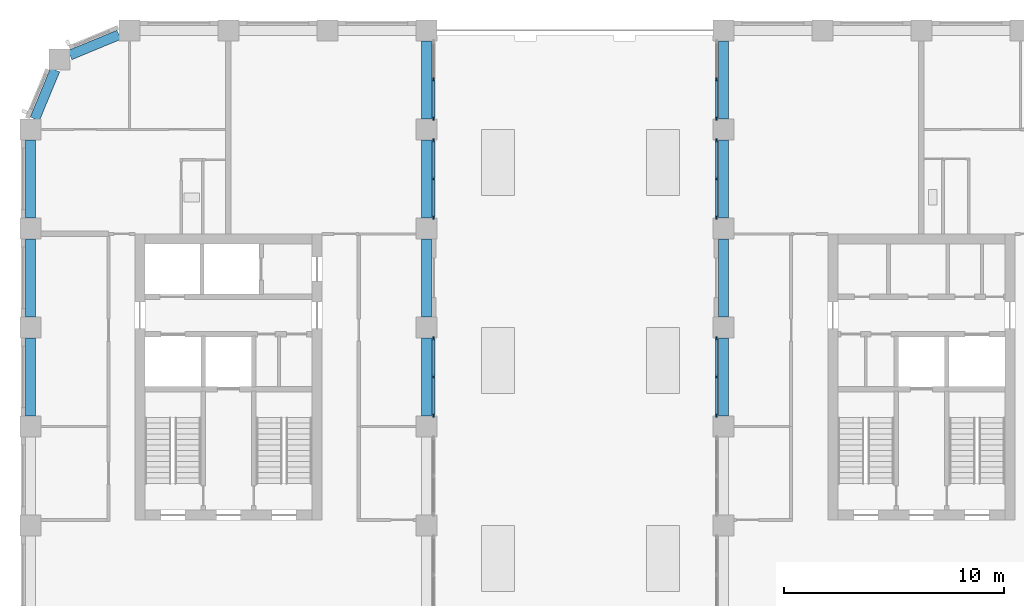
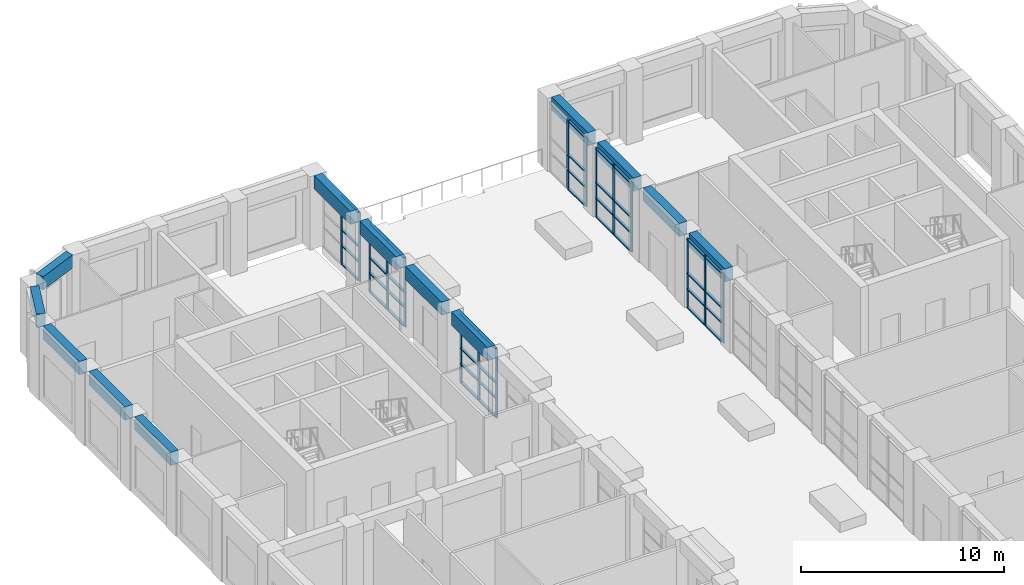
# One storey, part 5 of 20: 56 members, 13 beams, 6 elements without a shape of their own.
"""IFC4 building model written with IfcOpenShell, lengths in metres."""

import ifcopenshell
import ifcopenshell.guid

model = None  # the IFC model being written
_history = None  # IfcOwnerHistory: only IFC2X3 demands one
_inside = {}  # id of a spatial element -> (the spatial element, [elements in it])
_under = {}  # id of a project, library or spatial element -> (it, [spatial elements below it])
_declared = {}  # id of a project -> (the project, [libraries it declares])
_typed = {}  # id of a type object -> (the type object, [elements of that type])
_made_of = {}  # id of a material, layer set ... -> (it, [elements and type objects made of it])


def new_model(schema):
    """Start an empty IFC model of exactly this schema.

    Asked for "IFC4X3", IfcOpenShell would pick the latest addendum, in which some entities
    have other attributes; the version numbers below select the first issue.
    IFC2X3 requires an IfcOwnerHistory on every rooted entity: one is made here for all.
    """
    global model, _history
    if schema == "IFC4X3":
        model = ifcopenshell.file(schema_version=(4, 3, 0, 0))
    else:
        model = ifcopenshell.file(schema=schema)
    _inside.clear()
    _under.clear()
    _declared.clear()
    _typed.clear()
    _made_of.clear()
    _history = None
    if model.schema == "IFC2X3":
        org = make("IfcOrganization", Name="unknown")
        user = make(
            "IfcPersonAndOrganization",
            ThePerson=make("IfcPerson", FamilyName="unknown"),
            TheOrganization=org,
        )
        app = make(
            "IfcApplication",
            ApplicationDeveloper=org,
            Version="unknown",
            ApplicationFullName="unknown",
            ApplicationIdentifier="unknown",
        )
        _history = make(
            "IfcOwnerHistory",
            OwningUser=user,
            OwningApplication=app,
            ChangeAction="ADDED",
            CreationDate=0,
        )
    return model


def make(cls, **values):
    """One entity of the class cls with the attributes given. An attribute that is None is left unset."""
    return model.create_entity(
        cls, **{name: value for name, value in values.items() if value is not None}
    )


def rooted(cls, **values):
    """An entity with a GlobalId (a new one), such as an element, a storey or a relation."""
    return make(cls, GlobalId=ifcopenshell.guid.new(), OwnerHistory=_history, **values)


def si_unit(unit_type, name, prefix=None):
    """IfcSIUnit, for example si_unit("LENGTHUNIT", "METRE", prefix="MILLI")."""
    return make("IfcSIUnit", UnitType=unit_type, Prefix=prefix, Name=name)


def assignment(units):
    """IfcUnitAssignment: the units of a project."""
    return None if units is None else make("IfcUnitAssignment", Units=units)


def point(xyz):
    """IfcCartesianPoint."""
    return None if xyz is None else make("IfcCartesianPoint", Coordinates=xyz)


def direction(xyz):
    """IfcDirection."""
    return None if xyz is None else make("IfcDirection", DirectionRatios=xyz)


def frame(location, z_axis=None, x_axis=None):
    """IfcAxis2Placement3D, a coordinate frame: its origin and axes. An axis left out is left unset."""
    return make(
        "IfcAxis2Placement3D",
        Location=point(location),
        Axis=direction(z_axis),
        RefDirection=direction(x_axis),
    )


def frame_2d(location, x_axis=None):
    """IfcAxis2Placement2D, a coordinate frame in the plane: its origin and x axis."""
    return make(
        "IfcAxis2Placement2D", Location=point(location), RefDirection=direction(x_axis)
    )


def origin():
    """The frame at (0, 0, 0) with its axes left unset."""
    return frame((0.0, 0.0, 0.0))


def origin_2d():
    """The frame at (0, 0) in the plane with its x axis left unset."""
    return frame_2d((0.0, 0.0))


def place(relative_to, where):
    """IfcLocalPlacement: puts the frame where relative to a parent placement (None: the world)."""
    return make(
        "IfcLocalPlacement", PlacementRelTo=relative_to, RelativePlacement=where
    )


def context(
    kind, dimensions, precision=None, world=None, true_north=None, identifier=None
):
    """IfcGeometricRepresentationContext, for example the 3D "Model" context."""
    return make(
        "IfcGeometricRepresentationContext",
        ContextIdentifier=identifier,
        ContextType=kind,
        CoordinateSpaceDimension=dimensions,
        Precision=precision,
        WorldCoordinateSystem=world,
        TrueNorth=true_north,
    )


def subcontext(parent, identifier, kind, view, scale=None):
    """IfcGeometricRepresentationSubContext, for example "Body" below "Model"."""
    return make(
        "IfcGeometricRepresentationSubContext",
        ContextIdentifier=identifier,
        ContextType=kind,
        ParentContext=parent,
        TargetScale=scale,
        TargetView=view,
    )


def project(units=None, contexts=None):
    """IfcProject with its units and contexts."""
    return rooted(
        "IfcProject",
        Name="project",
        RepresentationContexts=contexts,
        UnitsInContext=assignment(units),
    )


def spatial(cls, under=None, at=None, **own):
    """A site, building, storey or space (cls), placed at a placement, below another one or the project."""
    s = rooted(cls, ObjectPlacement=at, **own)
    if under is not None:
        _under.setdefault(under.id(), (under, []))[1].append(s)
    return s


def profile(cls, at=None, kind="AREA", **sizes):
    """A parametric profile (cls). Its sizes go by their IFC names, for example OverallWidth=200.0."""
    return make(cls, ProfileType=kind, Position=at, **sizes)


def rectangle(**sizes):
    """IfcRectangleProfileDef."""
    return profile("IfcRectangleProfileDef", **sizes)


def extrude(swept, where, along, depth):
    """IfcExtrudedAreaSolid: the profile swept, set in the frame where, extruded along a direction by depth."""
    return make(
        "IfcExtrudedAreaSolid",
        SweptArea=swept,
        Position=where,
        ExtrudedDirection=direction(along),
        Depth=depth,
    )


def shape(context_of_items, identifier, shape_type, items):
    """IfcShapeRepresentation: the items that make up one representation, for example the "Body"."""
    return make(
        "IfcShapeRepresentation",
        ContextOfItems=context_of_items,
        RepresentationIdentifier=identifier,
        RepresentationType=shape_type,
        Items=items,
    )


def material(Name=None, Category=None):
    """IfcMaterial."""
    return make("IfcMaterial", Name=Name, Category=Category)


def material_profile(
    of_material, cross_section, Name=None, Category=None, Priority=None
):
    """IfcMaterialProfile: a cross section and its material."""
    return make(
        "IfcMaterialProfile",
        Name=Name,
        Material=of_material,
        Profile=cross_section,
        Priority=Priority,
        Category=Category,
    )


def profile_set(profiles, Name=None, composite=None):
    """IfcMaterialProfileSet."""
    return make(
        "IfcMaterialProfileSet",
        Name=Name,
        MaterialProfiles=profiles,
        CompositeProfile=composite,
    )


def made_of(thing, what):
    """Note that an element or type object is made of a material, layer set ...; save() writes the relation."""
    if what is not None:
        _made_of.setdefault(what.id(), (what, []))[1].append(thing)
    return thing


def type_object(cls, material=None, **own):
    """A type object (cls), such as IfcWallType, which elements share."""
    return made_of(rooted(cls, **own), material)


def element(
    cls,
    number,
    at=None,
    inside=None,
    cuts=None,
    type_object=None,
    material=None,
    context=None,
    identifier="Body",
    shape_type=None,
    held_by="IfcProductDefinitionShape",
    body=None,
    shapes=None,
    **own,
):
    """One element of the class cls, such as IfcWall. Its Tag is "e" and its number.

    at: its placement. inside: the storey or other place that contains it. cuts: it is an
    opening in that element (IfcRelVoidsElement). A single representation is given by context,
    identifier, shape_type and body (its items); several are given by shapes. held_by: the class
    of the entity that holds the representations. save() writes the other relations.
    """
    e = rooted(cls, Tag="e%d" % number, ObjectPlacement=at, **own)
    if body is not None:
        shapes = [shape(context, identifier, shape_type, body)]
    if shapes is not None:
        e.Representation = make(held_by, Representations=shapes)
    if inside is not None:
        _inside.setdefault(inside.id(), (inside, []))[1].append(e)
    if cuts is not None:
        rooted(
            "IfcRelVoidsElement", RelatingBuildingElement=cuts, RelatedOpeningElement=e
        )
    if type_object is not None:
        _typed.setdefault(type_object.id(), (type_object, []))[1].append(e)
    return made_of(e, material)


def aggregate(whole, parts):
    """IfcRelAggregates: a whole, such as a stair, and the parts it consists of."""
    return rooted("IfcRelAggregates", RelatingObject=whole, RelatedObjects=parts)


def save(model, path):
    """Write the relations noted so far, then the file.

    IfcRelAggregates (storeys below a building ...), IfcRelContainedInSpatialStructure (elements
    in a storey), IfcRelDefinesByType, IfcRelAssociatesMaterial and IfcRelDeclares: one each for
    every whole, place, type object, material and project.
    """
    for whole, parts in _under.values():
        aggregate(whole, parts)
    for where, things in _inside.values():
        rooted(
            "IfcRelContainedInSpatialStructure",
            RelatedElements=things,
            RelatingStructure=where,
        )
    for kind, things in _typed.values():
        rooted("IfcRelDefinesByType", RelatedObjects=things, RelatingType=kind)
    for what, things in _made_of.values():
        rooted("IfcRelAssociatesMaterial", RelatedObjects=things, RelatingMaterial=what)
    for by, libraries in _declared.values():
        rooted("IfcRelDeclares", RelatingContext=by, RelatedDefinitions=libraries)
    model.write(path)


model = new_model("IFC4")

# Units and contexts
model_context = context("Model", 3, precision=1e-05, world=origin(), true_north=direction((0.0, 1.0)))
body_context = subcontext(model_context, "Body", "Model", "MODEL_VIEW")
ifc_project = project(units=[si_unit("LENGTHUNIT", "METRE"), si_unit("AREAUNIT", "SQUARE_METRE"), si_unit("VOLUMEUNIT", "CUBIC_METRE"), si_unit("PLANEANGLEUNIT", "RADIAN"), si_unit("MASSUNIT", "GRAM", prefix="KILO")], contexts=[model_context])

# Site, building, storey
site_placement = place(None, origin())
site = spatial("IfcSite", under=ifc_project, at=site_placement, CompositionType="ELEMENT")
building_placement = place(site_placement, origin())
building = spatial("IfcBuilding", under=site, at=building_placement, Name="Girih Gate Residences", CompositionType="ELEMENT")
storey_placement = place(building_placement, frame((0.0, 0.0, 146.199951171875)))
storey = spatial("IfcBuildingStorey", under=building, at=storey_placement, Name="L41", CompositionType="ELEMENT", Elevation=146.199951171875)

# Curtain wall, members
ifc_material_1 = material(Name="Aluminium curtain wall frame", Category="aluminium")
curtain_wall_type = type_object("IfcCurtainWallType", Name="Curtain wall CW-3 sky lounge glazing", PredefinedType="NOTDEFINED", material=ifc_material_1)
curtain_wall_1_placement = place(storey_placement, origin())
curtain_wall_1 = element("IfcCurtainWall", 1, at=curtain_wall_1_placement, inside=storey, type_object=curtain_wall_type, Name="CW-3 Sky lounge glazing E0180_0000.7", PredefinedType="NOTDEFINED")
ifc_material_profile_1 = material_profile(ifc_material_1, rectangle(XDim=0.06005859375, YDim=0.179931640625, at=origin_2d()))
ifc_profile_set_1 = profile_set([ifc_material_profile_1], Name="Aluminium curtain wall frame")
member_type_1 = type_object("IfcMemberType", Name="Curtain wall mullion 60x180", PredefinedType="MULLION", material=ifc_profile_set_1)
member_1_placement = place(storey_placement, frame((18.31494140625, 32.0048828125, 0.0), z_axis=(0.0, 0.0, 1.0), x_axis=(-1.0, 0.0, 0.0)))
member_1 = element("IfcMember", 2, at=member_1_placement, type_object=member_type_1, Name="CW-3 mullion 1", PredefinedType="MULLION", context=body_context, shape_type="SweptSolid", body=[
    extrude(rectangle(XDim=0.06005859375, YDim=0.179931640625, at=origin_2d()), origin(), (0.0, 0.0, 1.0), 4.150146484375),
])
member_2_placement = place(storey_placement, frame((18.31494140625, 33.75, 0.0), z_axis=(0.0, 0.0, 1.0), x_axis=(-1.0, 0.0, 0.0)))
member_2 = element("IfcMember", 3, at=member_2_placement, type_object=member_type_1, Name="CW-3 mullion 2", PredefinedType="MULLION", context=body_context, shape_type="SweptSolid", body=[
    extrude(rectangle(XDim=0.06005859375, YDim=0.179931640625, at=origin_2d()), origin(), (0.0, 0.0, 1.0), 4.150146484375),
])
member_3_placement = place(storey_placement, frame((18.31494140625, 35.4951171875, 0.0), z_axis=(0.0, 0.0, 1.0), x_axis=(-1.0, 0.0, 0.0)))
member_3 = element("IfcMember", 4, at=member_3_placement, type_object=member_type_1, Name="CW-3 mullion 3", PredefinedType="MULLION", context=body_context, shape_type="SweptSolid", body=[
    extrude(rectangle(XDim=0.06005859375, YDim=0.179931640625, at=origin_2d()), origin(), (0.0, 0.0, 1.0), 4.150146484375),
])

curtain_wall_2_placement = place(storey_placement, origin())
curtain_wall_2 = element("IfcCurtainWall", 5, at=curtain_wall_2_placement, inside=storey, type_object=curtain_wall_type, Name="CW-3 Sky lounge glazing E0180_0000.9", PredefinedType="NOTDEFINED")
member_4_placement = place(storey_placement, frame((18.31494140625, 41.0048828125, 0.0), z_axis=(0.0, 0.0, 1.0), x_axis=(-1.0, 0.0, 0.0)))
member_4 = element("IfcMember", 6, at=member_4_placement, type_object=member_type_1, Name="CW-3 mullion 1", PredefinedType="MULLION", context=body_context, shape_type="SweptSolid", body=[
    extrude(rectangle(XDim=0.06005859375, YDim=0.179931640625, at=origin_2d()), origin(), (0.0, 0.0, 1.0), 4.150146484375),
])
member_5_placement = place(storey_placement, frame((18.31494140625, 42.75, 0.0), z_axis=(0.0, 0.0, 1.0), x_axis=(-1.0, 0.0, 0.0)))
member_5 = element("IfcMember", 7, at=member_5_placement, type_object=member_type_1, Name="CW-3 mullion 2", PredefinedType="MULLION", context=body_context, shape_type="SweptSolid", body=[
    extrude(rectangle(XDim=0.06005859375, YDim=0.179931640625, at=origin_2d()), origin(), (0.0, 0.0, 1.0), 4.150146484375),
])
member_6_placement = place(storey_placement, frame((18.31494140625, 44.4951171875, 0.0), z_axis=(0.0, 0.0, 1.0), x_axis=(-1.0, 0.0, 0.0)))
member_6 = element("IfcMember", 8, at=member_6_placement, type_object=member_type_1, Name="CW-3 mullion 3", PredefinedType="MULLION", context=body_context, shape_type="SweptSolid", body=[
    extrude(rectangle(XDim=0.06005859375, YDim=0.179931640625, at=origin_2d()), origin(), (0.0, 0.0, 1.0), 4.150146484375),
])

curtain_wall_3_placement = place(storey_placement, origin())
curtain_wall_3 = element("IfcCurtainWall", 9, at=curtain_wall_3_placement, inside=storey, type_object=curtain_wall_type, Name="CW-3 Sky lounge glazing E0180_0000.10", PredefinedType="NOTDEFINED")
member_7_placement = place(storey_placement, frame((18.31494140625, 45.5048828125, 0.0), z_axis=(0.0, 0.0, 1.0), x_axis=(-1.0, 0.0, 0.0)))
member_7 = element("IfcMember", 10, at=member_7_placement, type_object=member_type_1, Name="CW-3 mullion 1", PredefinedType="MULLION", context=body_context, shape_type="SweptSolid", body=[
    extrude(rectangle(XDim=0.06005859375, YDim=0.179931640625, at=origin_2d()), origin(), (0.0, 0.0, 1.0), 4.150146484375),
])
member_8_placement = place(storey_placement, frame((18.31494140625, 47.25, 0.0), z_axis=(0.0, 0.0, 1.0), x_axis=(-1.0, 0.0, 0.0)))
member_8 = element("IfcMember", 11, at=member_8_placement, type_object=member_type_1, Name="CW-3 mullion 2", PredefinedType="MULLION", context=body_context, shape_type="SweptSolid", body=[
    extrude(rectangle(XDim=0.06005859375, YDim=0.179931640625, at=origin_2d()), origin(), (0.0, 0.0, 1.0), 4.150146484375),
])

curtain_wall_4_placement = place(storey_placement, origin())
curtain_wall_4 = element("IfcCurtainWall", 12, at=curtain_wall_4_placement, inside=storey, type_object=curtain_wall_type, Name="CW-3 Sky lounge glazing W0315_0495.0", PredefinedType="NOTDEFINED")
member_9_placement = place(storey_placement, frame((31.18505859375, 47.25, 0.0), z_axis=(0.0, 0.0, 1.0), x_axis=(1.0, 0.0, 0.0)))
member_9 = element("IfcMember", 13, at=member_9_placement, type_object=member_type_1, Name="CW-3 mullion 2", PredefinedType="MULLION", context=body_context, shape_type="SweptSolid", body=[
    extrude(rectangle(XDim=0.06005859375, YDim=0.179931640625, at=origin_2d()), origin(), (0.0, 0.0, 1.0), 4.150146484375),
])
member_10_placement = place(storey_placement, frame((31.18505859375, 45.5048828125, 0.0), z_axis=(0.0, 0.0, 1.0), x_axis=(1.0, 0.0, 0.0)))
member_10 = element("IfcMember", 14, at=member_10_placement, type_object=member_type_1, Name="CW-3 mullion 3", PredefinedType="MULLION", context=body_context, shape_type="SweptSolid", body=[
    extrude(rectangle(XDim=0.06005859375, YDim=0.179931640625, at=origin_2d()), origin(), (0.0, 0.0, 1.0), 4.150146484375),
])

curtain_wall_5_placement = place(storey_placement, origin())
curtain_wall_5 = element("IfcCurtainWall", 15, at=curtain_wall_5_placement, inside=storey, type_object=curtain_wall_type, Name="CW-3 Sky lounge glazing W0315_0495.1", PredefinedType="NOTDEFINED")
member_11_placement = place(storey_placement, frame((31.18505859375, 44.4951171875, 0.0), z_axis=(0.0, 0.0, 1.0), x_axis=(1.0, 0.0, 0.0)))
member_11 = element("IfcMember", 16, at=member_11_placement, type_object=member_type_1, Name="CW-3 mullion 1", PredefinedType="MULLION", context=body_context, shape_type="SweptSolid", body=[
    extrude(rectangle(XDim=0.06005859375, YDim=0.179931640625, at=origin_2d()), origin(), (0.0, 0.0, 1.0), 4.150146484375),
])
member_12_placement = place(storey_placement, frame((31.18505859375, 42.75, 0.0), z_axis=(0.0, 0.0, 1.0), x_axis=(1.0, 0.0, 0.0)))
member_12 = element("IfcMember", 17, at=member_12_placement, type_object=member_type_1, Name="CW-3 mullion 2", PredefinedType="MULLION", context=body_context, shape_type="SweptSolid", body=[
    extrude(rectangle(XDim=0.06005859375, YDim=0.179931640625, at=origin_2d()), origin(), (0.0, 0.0, 1.0), 4.150146484375),
])
member_13_placement = place(storey_placement, frame((31.18505859375, 41.0048828125, 0.0), z_axis=(0.0, 0.0, 1.0), x_axis=(1.0, 0.0, 0.0)))
member_13 = element("IfcMember", 18, at=member_13_placement, type_object=member_type_1, Name="CW-3 mullion 3", PredefinedType="MULLION", context=body_context, shape_type="SweptSolid", body=[
    extrude(rectangle(XDim=0.06005859375, YDim=0.179931640625, at=origin_2d()), origin(), (0.0, 0.0, 1.0), 4.150146484375),
])

curtain_wall_6_placement = place(storey_placement, origin())
curtain_wall_6 = element("IfcCurtainWall", 19, at=curtain_wall_6_placement, inside=storey, type_object=curtain_wall_type, Name="CW-3 Sky lounge glazing W0315_0495.3", PredefinedType="NOTDEFINED")
member_14_placement = place(storey_placement, frame((31.18505859375, 35.4951171875, 0.0), z_axis=(0.0, 0.0, 1.0), x_axis=(1.0, 0.0, 0.0)))
member_14 = element("IfcMember", 20, at=member_14_placement, type_object=member_type_1, Name="CW-3 mullion 1", PredefinedType="MULLION", context=body_context, shape_type="SweptSolid", body=[
    extrude(rectangle(XDim=0.06005859375, YDim=0.179931640625, at=origin_2d()), origin(), (0.0, 0.0, 1.0), 4.150146484375),
])
member_15_placement = place(storey_placement, frame((31.18505859375, 33.75, 0.0), z_axis=(0.0, 0.0, 1.0), x_axis=(1.0, 0.0, 0.0)))
member_15 = element("IfcMember", 21, at=member_15_placement, type_object=member_type_1, Name="CW-3 mullion 2", PredefinedType="MULLION", context=body_context, shape_type="SweptSolid", body=[
    extrude(rectangle(XDim=0.06005859375, YDim=0.179931640625, at=origin_2d()), origin(), (0.0, 0.0, 1.0), 4.150146484375),
])
member_16_placement = place(storey_placement, frame((31.18505859375, 32.0048828125, 0.0), z_axis=(0.0, 0.0, 1.0), x_axis=(1.0, 0.0, 0.0)))
member_16 = element("IfcMember", 22, at=member_16_placement, type_object=member_type_1, Name="CW-3 mullion 3", PredefinedType="MULLION", context=body_context, shape_type="SweptSolid", body=[
    extrude(rectangle(XDim=0.06005859375, YDim=0.179931640625, at=origin_2d()), origin(), (0.0, 0.0, 1.0), 4.150146484375),
])

# Member
ifc_material_profile_2 = material_profile(ifc_material_1, rectangle(XDim=0.139892578125, YDim=0.06005859375, at=origin_2d()))
ifc_profile_set_2 = profile_set([ifc_material_profile_2], Name="Aluminium curtain wall frame")
member_type_2 = type_object("IfcMemberType", Name="Curtain wall transom 60x140", PredefinedType="USERDEFINED", material=ifc_profile_set_2)
member_17_placement = place(storey_placement, frame((18.31494140625, 32.034912109375, 0.030029296875), z_axis=(0.0, 1.0, 0.0), x_axis=(-1.0, 0.0, 0.0)))
member_17 = element("IfcMember", 23, at=member_17_placement, type_object=member_type_2, Name="CW-3 transom 1.1", ObjectType="TRANSOM", PredefinedType="USERDEFINED", context=body_context, shape_type="SweptSolid", body=[
    extrude(rectangle(XDim=0.139892578125, YDim=0.06005859375, at=origin_2d()), origin(), (0.0, 0.0, 1.0), 1.68505859375),
])

member_18_placement = place(storey_placement, frame((18.31494140625, 32.034912109375, 1.150146484375), z_axis=(0.0, 1.0, 0.0), x_axis=(-1.0, 0.0, 0.0)))
member_18 = element("IfcMember", 24, at=member_18_placement, type_object=member_type_2, Name="CW-3 transom 1.2", ObjectType="TRANSOM", PredefinedType="USERDEFINED", context=body_context, shape_type="SweptSolid", body=[
    extrude(rectangle(XDim=0.139892578125, YDim=0.06005859375, at=origin_2d()), origin(), (0.0, 0.0, 1.0), 1.68505859375),
])

member_19_placement = place(storey_placement, frame((18.31494140625, 32.034912109375, 2.074951171875), z_axis=(0.0, 1.0, 0.0), x_axis=(-1.0, 0.0, 0.0)))
member_19 = element("IfcMember", 25, at=member_19_placement, type_object=member_type_2, Name="CW-3 transom 1.3", ObjectType="TRANSOM", PredefinedType="USERDEFINED", context=body_context, shape_type="SweptSolid", body=[
    extrude(rectangle(XDim=0.139892578125, YDim=0.06005859375, at=origin_2d()), origin(), (0.0, 0.0, 1.0), 1.68505859375),
])

member_20_placement = place(storey_placement, frame((18.31494140625, 32.034912109375, 4.1201171875), z_axis=(0.0, 1.0, 0.0), x_axis=(-1.0, 0.0, 0.0)))
member_20 = element("IfcMember", 26, at=member_20_placement, type_object=member_type_2, Name="CW-3 transom 1.4", ObjectType="TRANSOM", PredefinedType="USERDEFINED", context=body_context, shape_type="SweptSolid", body=[
    extrude(rectangle(XDim=0.139892578125, YDim=0.06005859375, at=origin_2d()), origin(), (0.0, 0.0, 1.0), 1.68505859375),
])

member_21_placement = place(storey_placement, frame((18.31494140625, 33.780029296875, 0.030029296875), z_axis=(0.0, 1.0, 0.0), x_axis=(-1.0, 0.0, 0.0)))
member_21 = element("IfcMember", 27, at=member_21_placement, type_object=member_type_2, Name="CW-3 transom 2.1", ObjectType="TRANSOM", PredefinedType="USERDEFINED", context=body_context, shape_type="SweptSolid", body=[
    extrude(rectangle(XDim=0.139892578125, YDim=0.06005859375, at=origin_2d()), origin(), (0.0, 0.0, 1.0), 1.68505859375),
])

member_22_placement = place(storey_placement, frame((18.31494140625, 33.780029296875, 1.150146484375), z_axis=(0.0, 1.0, 0.0), x_axis=(-1.0, 0.0, 0.0)))
member_22 = element("IfcMember", 28, at=member_22_placement, type_object=member_type_2, Name="CW-3 transom 2.2", ObjectType="TRANSOM", PredefinedType="USERDEFINED", context=body_context, shape_type="SweptSolid", body=[
    extrude(rectangle(XDim=0.139892578125, YDim=0.06005859375, at=origin_2d()), origin(), (0.0, 0.0, 1.0), 1.68505859375),
])

member_23_placement = place(storey_placement, frame((18.31494140625, 33.780029296875, 2.074951171875), z_axis=(0.0, 1.0, 0.0), x_axis=(-1.0, 0.0, 0.0)))
member_23 = element("IfcMember", 29, at=member_23_placement, type_object=member_type_2, Name="CW-3 transom 2.3", ObjectType="TRANSOM", PredefinedType="USERDEFINED", context=body_context, shape_type="SweptSolid", body=[
    extrude(rectangle(XDim=0.139892578125, YDim=0.06005859375, at=origin_2d()), origin(), (0.0, 0.0, 1.0), 1.68505859375),
])

member_24_placement = place(storey_placement, frame((18.31494140625, 33.780029296875, 4.1201171875), z_axis=(0.0, 1.0, 0.0), x_axis=(-1.0, 0.0, 0.0)))
member_24 = element("IfcMember", 30, at=member_24_placement, type_object=member_type_2, Name="CW-3 transom 2.4", ObjectType="TRANSOM", PredefinedType="USERDEFINED", context=body_context, shape_type="SweptSolid", body=[
    extrude(rectangle(XDim=0.139892578125, YDim=0.06005859375, at=origin_2d()), origin(), (0.0, 0.0, 1.0), 1.68505859375),
])

aggregate(curtain_wall_1, [member_1, member_2, member_3, member_17, member_18, member_19, member_20, member_21, member_22, member_23, member_24])

member_25_placement = place(storey_placement, frame((18.31494140625, 41.034912109375, 0.030029296875), z_axis=(0.0, 1.0, 0.0), x_axis=(-1.0, 0.0, 0.0)))
member_25 = element("IfcMember", 31, at=member_25_placement, type_object=member_type_2, Name="CW-3 transom 1.1", ObjectType="TRANSOM", PredefinedType="USERDEFINED", context=body_context, shape_type="SweptSolid", body=[
    extrude(rectangle(XDim=0.139892578125, YDim=0.06005859375, at=origin_2d()), origin(), (0.0, 0.0, 1.0), 1.68505859375),
])

member_26_placement = place(storey_placement, frame((18.31494140625, 41.034912109375, 1.150146484375), z_axis=(0.0, 1.0, 0.0), x_axis=(-1.0, 0.0, 0.0)))
member_26 = element("IfcMember", 32, at=member_26_placement, type_object=member_type_2, Name="CW-3 transom 1.2", ObjectType="TRANSOM", PredefinedType="USERDEFINED", context=body_context, shape_type="SweptSolid", body=[
    extrude(rectangle(XDim=0.139892578125, YDim=0.06005859375, at=origin_2d()), origin(), (0.0, 0.0, 1.0), 1.68505859375),
])

member_27_placement = place(storey_placement, frame((18.31494140625, 41.034912109375, 2.074951171875), z_axis=(0.0, 1.0, 0.0), x_axis=(-1.0, 0.0, 0.0)))
member_27 = element("IfcMember", 33, at=member_27_placement, type_object=member_type_2, Name="CW-3 transom 1.3", ObjectType="TRANSOM", PredefinedType="USERDEFINED", context=body_context, shape_type="SweptSolid", body=[
    extrude(rectangle(XDim=0.139892578125, YDim=0.06005859375, at=origin_2d()), origin(), (0.0, 0.0, 1.0), 1.68505859375),
])

member_28_placement = place(storey_placement, frame((18.31494140625, 41.034912109375, 4.1201171875), z_axis=(0.0, 1.0, 0.0), x_axis=(-1.0, 0.0, 0.0)))
member_28 = element("IfcMember", 34, at=member_28_placement, type_object=member_type_2, Name="CW-3 transom 1.4", ObjectType="TRANSOM", PredefinedType="USERDEFINED", context=body_context, shape_type="SweptSolid", body=[
    extrude(rectangle(XDim=0.139892578125, YDim=0.06005859375, at=origin_2d()), origin(), (0.0, 0.0, 1.0), 1.68505859375),
])

member_29_placement = place(storey_placement, frame((18.31494140625, 42.780029296875, 0.030029296875), z_axis=(0.0, 1.0, 0.0), x_axis=(-1.0, 0.0, 0.0)))
member_29 = element("IfcMember", 35, at=member_29_placement, type_object=member_type_2, Name="CW-3 transom 2.1", ObjectType="TRANSOM", PredefinedType="USERDEFINED", context=body_context, shape_type="SweptSolid", body=[
    extrude(rectangle(XDim=0.139892578125, YDim=0.06005859375, at=origin_2d()), origin(), (0.0, 0.0, 1.0), 1.68505859375),
])

member_30_placement = place(storey_placement, frame((18.31494140625, 42.780029296875, 1.150146484375), z_axis=(0.0, 1.0, 0.0), x_axis=(-1.0, 0.0, 0.0)))
member_30 = element("IfcMember", 36, at=member_30_placement, type_object=member_type_2, Name="CW-3 transom 2.2", ObjectType="TRANSOM", PredefinedType="USERDEFINED", context=body_context, shape_type="SweptSolid", body=[
    extrude(rectangle(XDim=0.139892578125, YDim=0.06005859375, at=origin_2d()), origin(), (0.0, 0.0, 1.0), 1.68505859375),
])

member_31_placement = place(storey_placement, frame((18.31494140625, 42.780029296875, 2.074951171875), z_axis=(0.0, 1.0, 0.0), x_axis=(-1.0, 0.0, 0.0)))
member_31 = element("IfcMember", 37, at=member_31_placement, type_object=member_type_2, Name="CW-3 transom 2.3", ObjectType="TRANSOM", PredefinedType="USERDEFINED", context=body_context, shape_type="SweptSolid", body=[
    extrude(rectangle(XDim=0.139892578125, YDim=0.06005859375, at=origin_2d()), origin(), (0.0, 0.0, 1.0), 1.68505859375),
])

member_32_placement = place(storey_placement, frame((18.31494140625, 42.780029296875, 4.1201171875), z_axis=(0.0, 1.0, 0.0), x_axis=(-1.0, 0.0, 0.0)))
member_32 = element("IfcMember", 38, at=member_32_placement, type_object=member_type_2, Name="CW-3 transom 2.4", ObjectType="TRANSOM", PredefinedType="USERDEFINED", context=body_context, shape_type="SweptSolid", body=[
    extrude(rectangle(XDim=0.139892578125, YDim=0.06005859375, at=origin_2d()), origin(), (0.0, 0.0, 1.0), 1.68505859375),
])

aggregate(curtain_wall_2, [member_4, member_5, member_6, member_25, member_26, member_27, member_28, member_29, member_30, member_31, member_32])

member_33_placement = place(storey_placement, frame((18.31494140625, 45.534912109375, 0.030029296875), z_axis=(0.0, 1.0, 0.0), x_axis=(-1.0, 0.0, 0.0)))
member_33 = element("IfcMember", 39, at=member_33_placement, type_object=member_type_2, Name="CW-3 transom 1.1", ObjectType="TRANSOM", PredefinedType="USERDEFINED", context=body_context, shape_type="SweptSolid", body=[
    extrude(rectangle(XDim=0.139892578125, YDim=0.06005859375, at=origin_2d()), origin(), (0.0, 0.0, 1.0), 1.68505859375),
])

member_34_placement = place(storey_placement, frame((18.31494140625, 45.534912109375, 1.150146484375), z_axis=(0.0, 1.0, 0.0), x_axis=(-1.0, 0.0, 0.0)))
member_34 = element("IfcMember", 40, at=member_34_placement, type_object=member_type_2, Name="CW-3 transom 1.2", ObjectType="TRANSOM", PredefinedType="USERDEFINED", context=body_context, shape_type="SweptSolid", body=[
    extrude(rectangle(XDim=0.139892578125, YDim=0.06005859375, at=origin_2d()), origin(), (0.0, 0.0, 1.0), 1.68505859375),
])

member_35_placement = place(storey_placement, frame((18.31494140625, 45.534912109375, 2.074951171875), z_axis=(0.0, 1.0, 0.0), x_axis=(-1.0, 0.0, 0.0)))
member_35 = element("IfcMember", 41, at=member_35_placement, type_object=member_type_2, Name="CW-3 transom 1.3", ObjectType="TRANSOM", PredefinedType="USERDEFINED", context=body_context, shape_type="SweptSolid", body=[
    extrude(rectangle(XDim=0.139892578125, YDim=0.06005859375, at=origin_2d()), origin(), (0.0, 0.0, 1.0), 1.68505859375),
])

member_36_placement = place(storey_placement, frame((18.31494140625, 45.534912109375, 4.1201171875), z_axis=(0.0, 1.0, 0.0), x_axis=(-1.0, 0.0, 0.0)))
member_36 = element("IfcMember", 42, at=member_36_placement, type_object=member_type_2, Name="CW-3 transom 1.4", ObjectType="TRANSOM", PredefinedType="USERDEFINED", context=body_context, shape_type="SweptSolid", body=[
    extrude(rectangle(XDim=0.139892578125, YDim=0.06005859375, at=origin_2d()), origin(), (0.0, 0.0, 1.0), 1.68505859375),
])

aggregate(curtain_wall_3, [member_7, member_8, member_33, member_34, member_35, member_36])

member_37_placement = place(storey_placement, frame((31.18505859375, 47.219970703125, 0.030029296875), z_axis=(0.0, -1.0, 0.0), x_axis=(1.0, 0.0, 0.0)))
member_37 = element("IfcMember", 43, at=member_37_placement, type_object=member_type_2, Name="CW-3 transom 2.1", ObjectType="TRANSOM", PredefinedType="USERDEFINED", context=body_context, shape_type="SweptSolid", body=[
    extrude(rectangle(XDim=0.139892578125, YDim=0.06005859375, at=origin_2d()), origin(), (0.0, 0.0, 1.0), 1.68505859375),
])

member_38_placement = place(storey_placement, frame((31.18505859375, 47.219970703125, 1.150146484375), z_axis=(0.0, -1.0, 0.0), x_axis=(1.0, 0.0, 0.0)))
member_38 = element("IfcMember", 44, at=member_38_placement, type_object=member_type_2, Name="CW-3 transom 2.2", ObjectType="TRANSOM", PredefinedType="USERDEFINED", context=body_context, shape_type="SweptSolid", body=[
    extrude(rectangle(XDim=0.139892578125, YDim=0.06005859375, at=origin_2d()), origin(), (0.0, 0.0, 1.0), 1.68505859375),
])

member_39_placement = place(storey_placement, frame((31.18505859375, 47.219970703125, 2.074951171875), z_axis=(0.0, -1.0, 0.0), x_axis=(1.0, 0.0, 0.0)))
member_39 = element("IfcMember", 45, at=member_39_placement, type_object=member_type_2, Name="CW-3 transom 2.3", ObjectType="TRANSOM", PredefinedType="USERDEFINED", context=body_context, shape_type="SweptSolid", body=[
    extrude(rectangle(XDim=0.139892578125, YDim=0.06005859375, at=origin_2d()), origin(), (0.0, 0.0, 1.0), 1.68505859375),
])

member_40_placement = place(storey_placement, frame((31.18505859375, 47.219970703125, 4.1201171875), z_axis=(0.0, -1.0, 0.0), x_axis=(1.0, 0.0, 0.0)))
member_40 = element("IfcMember", 46, at=member_40_placement, type_object=member_type_2, Name="CW-3 transom 2.4", ObjectType="TRANSOM", PredefinedType="USERDEFINED", context=body_context, shape_type="SweptSolid", body=[
    extrude(rectangle(XDim=0.139892578125, YDim=0.06005859375, at=origin_2d()), origin(), (0.0, 0.0, 1.0), 1.68505859375),
])

aggregate(curtain_wall_4, [member_9, member_10, member_37, member_38, member_39, member_40])

member_41_placement = place(storey_placement, frame((31.18505859375, 44.465087890625, 0.030029296875), z_axis=(0.0, -1.0, 0.0), x_axis=(1.0, 0.0, 0.0)))
member_41 = element("IfcMember", 47, at=member_41_placement, type_object=member_type_2, Name="CW-3 transom 1.1", ObjectType="TRANSOM", PredefinedType="USERDEFINED", context=body_context, shape_type="SweptSolid", body=[
    extrude(rectangle(XDim=0.139892578125, YDim=0.06005859375, at=origin_2d()), origin(), (0.0, 0.0, 1.0), 1.68505859375),
])

member_42_placement = place(storey_placement, frame((31.18505859375, 44.465087890625, 1.150146484375), z_axis=(0.0, -1.0, 0.0), x_axis=(1.0, 0.0, 0.0)))
member_42 = element("IfcMember", 48, at=member_42_placement, type_object=member_type_2, Name="CW-3 transom 1.2", ObjectType="TRANSOM", PredefinedType="USERDEFINED", context=body_context, shape_type="SweptSolid", body=[
    extrude(rectangle(XDim=0.139892578125, YDim=0.06005859375, at=origin_2d()), origin(), (0.0, 0.0, 1.0), 1.68505859375),
])

member_43_placement = place(storey_placement, frame((31.18505859375, 44.465087890625, 2.074951171875), z_axis=(0.0, -1.0, 0.0), x_axis=(1.0, 0.0, 0.0)))
member_43 = element("IfcMember", 49, at=member_43_placement, type_object=member_type_2, Name="CW-3 transom 1.3", ObjectType="TRANSOM", PredefinedType="USERDEFINED", context=body_context, shape_type="SweptSolid", body=[
    extrude(rectangle(XDim=0.139892578125, YDim=0.06005859375, at=origin_2d()), origin(), (0.0, 0.0, 1.0), 1.68505859375),
])

member_44_placement = place(storey_placement, frame((31.18505859375, 44.465087890625, 4.1201171875), z_axis=(0.0, -1.0, 0.0), x_axis=(1.0, 0.0, 0.0)))
member_44 = element("IfcMember", 50, at=member_44_placement, type_object=member_type_2, Name="CW-3 transom 1.4", ObjectType="TRANSOM", PredefinedType="USERDEFINED", context=body_context, shape_type="SweptSolid", body=[
    extrude(rectangle(XDim=0.139892578125, YDim=0.06005859375, at=origin_2d()), origin(), (0.0, 0.0, 1.0), 1.68505859375),
])

member_45_placement = place(storey_placement, frame((31.18505859375, 42.719970703125, 0.030029296875), z_axis=(0.0, -1.0, 0.0), x_axis=(1.0, 0.0, 0.0)))
member_45 = element("IfcMember", 51, at=member_45_placement, type_object=member_type_2, Name="CW-3 transom 2.1", ObjectType="TRANSOM", PredefinedType="USERDEFINED", context=body_context, shape_type="SweptSolid", body=[
    extrude(rectangle(XDim=0.139892578125, YDim=0.06005859375, at=origin_2d()), origin(), (0.0, 0.0, 1.0), 1.68505859375),
])

member_46_placement = place(storey_placement, frame((31.18505859375, 42.719970703125, 1.150146484375), z_axis=(0.0, -1.0, 0.0), x_axis=(1.0, 0.0, 0.0)))
member_46 = element("IfcMember", 52, at=member_46_placement, type_object=member_type_2, Name="CW-3 transom 2.2", ObjectType="TRANSOM", PredefinedType="USERDEFINED", context=body_context, shape_type="SweptSolid", body=[
    extrude(rectangle(XDim=0.139892578125, YDim=0.06005859375, at=origin_2d()), origin(), (0.0, 0.0, 1.0), 1.68505859375),
])

member_47_placement = place(storey_placement, frame((31.18505859375, 42.719970703125, 2.074951171875), z_axis=(0.0, -1.0, 0.0), x_axis=(1.0, 0.0, 0.0)))
member_47 = element("IfcMember", 53, at=member_47_placement, type_object=member_type_2, Name="CW-3 transom 2.3", ObjectType="TRANSOM", PredefinedType="USERDEFINED", context=body_context, shape_type="SweptSolid", body=[
    extrude(rectangle(XDim=0.139892578125, YDim=0.06005859375, at=origin_2d()), origin(), (0.0, 0.0, 1.0), 1.68505859375),
])

member_48_placement = place(storey_placement, frame((31.18505859375, 42.719970703125, 4.1201171875), z_axis=(0.0, -1.0, 0.0), x_axis=(1.0, 0.0, 0.0)))
member_48 = element("IfcMember", 54, at=member_48_placement, type_object=member_type_2, Name="CW-3 transom 2.4", ObjectType="TRANSOM", PredefinedType="USERDEFINED", context=body_context, shape_type="SweptSolid", body=[
    extrude(rectangle(XDim=0.139892578125, YDim=0.06005859375, at=origin_2d()), origin(), (0.0, 0.0, 1.0), 1.68505859375),
])

aggregate(curtain_wall_5, [member_11, member_12, member_13, member_41, member_42, member_43, member_44, member_45, member_46, member_47, member_48])

member_49_placement = place(storey_placement, frame((31.18505859375, 35.465087890625, 0.030029296875), z_axis=(0.0, -1.0, 0.0), x_axis=(1.0, 0.0, 0.0)))
member_49 = element("IfcMember", 55, at=member_49_placement, type_object=member_type_2, Name="CW-3 transom 1.1", ObjectType="TRANSOM", PredefinedType="USERDEFINED", context=body_context, shape_type="SweptSolid", body=[
    extrude(rectangle(XDim=0.139892578125, YDim=0.06005859375, at=origin_2d()), origin(), (0.0, 0.0, 1.0), 1.68505859375),
])

member_50_placement = place(storey_placement, frame((31.18505859375, 35.465087890625, 1.150146484375), z_axis=(0.0, -1.0, 0.0), x_axis=(1.0, 0.0, 0.0)))
member_50 = element("IfcMember", 56, at=member_50_placement, type_object=member_type_2, Name="CW-3 transom 1.2", ObjectType="TRANSOM", PredefinedType="USERDEFINED", context=body_context, shape_type="SweptSolid", body=[
    extrude(rectangle(XDim=0.139892578125, YDim=0.06005859375, at=origin_2d()), origin(), (0.0, 0.0, 1.0), 1.68505859375),
])

member_51_placement = place(storey_placement, frame((31.18505859375, 35.465087890625, 2.074951171875), z_axis=(0.0, -1.0, 0.0), x_axis=(1.0, 0.0, 0.0)))
member_51 = element("IfcMember", 57, at=member_51_placement, type_object=member_type_2, Name="CW-3 transom 1.3", ObjectType="TRANSOM", PredefinedType="USERDEFINED", context=body_context, shape_type="SweptSolid", body=[
    extrude(rectangle(XDim=0.139892578125, YDim=0.06005859375, at=origin_2d()), origin(), (0.0, 0.0, 1.0), 1.68505859375),
])

member_52_placement = place(storey_placement, frame((31.18505859375, 35.465087890625, 4.1201171875), z_axis=(0.0, -1.0, 0.0), x_axis=(1.0, 0.0, 0.0)))
member_52 = element("IfcMember", 58, at=member_52_placement, type_object=member_type_2, Name="CW-3 transom 1.4", ObjectType="TRANSOM", PredefinedType="USERDEFINED", context=body_context, shape_type="SweptSolid", body=[
    extrude(rectangle(XDim=0.139892578125, YDim=0.06005859375, at=origin_2d()), origin(), (0.0, 0.0, 1.0), 1.68505859375),
])

member_53_placement = place(storey_placement, frame((31.18505859375, 33.719970703125, 0.030029296875), z_axis=(0.0, -1.0, 0.0), x_axis=(1.0, 0.0, 0.0)))
member_53 = element("IfcMember", 59, at=member_53_placement, type_object=member_type_2, Name="CW-3 transom 2.1", ObjectType="TRANSOM", PredefinedType="USERDEFINED", context=body_context, shape_type="SweptSolid", body=[
    extrude(rectangle(XDim=0.139892578125, YDim=0.06005859375, at=origin_2d()), origin(), (0.0, 0.0, 1.0), 1.68505859375),
])

member_54_placement = place(storey_placement, frame((31.18505859375, 33.719970703125, 1.150146484375), z_axis=(0.0, -1.0, 0.0), x_axis=(1.0, 0.0, 0.0)))
member_54 = element("IfcMember", 60, at=member_54_placement, type_object=member_type_2, Name="CW-3 transom 2.2", ObjectType="TRANSOM", PredefinedType="USERDEFINED", context=body_context, shape_type="SweptSolid", body=[
    extrude(rectangle(XDim=0.139892578125, YDim=0.06005859375, at=origin_2d()), origin(), (0.0, 0.0, 1.0), 1.68505859375),
])

member_55_placement = place(storey_placement, frame((31.18505859375, 33.719970703125, 2.074951171875), z_axis=(0.0, -1.0, 0.0), x_axis=(1.0, 0.0, 0.0)))
member_55 = element("IfcMember", 61, at=member_55_placement, type_object=member_type_2, Name="CW-3 transom 2.3", ObjectType="TRANSOM", PredefinedType="USERDEFINED", context=body_context, shape_type="SweptSolid", body=[
    extrude(rectangle(XDim=0.139892578125, YDim=0.06005859375, at=origin_2d()), origin(), (0.0, 0.0, 1.0), 1.68505859375),
])

member_56_placement = place(storey_placement, frame((31.18505859375, 33.719970703125, 4.1201171875), z_axis=(0.0, -1.0, 0.0), x_axis=(1.0, 0.0, 0.0)))
member_56 = element("IfcMember", 62, at=member_56_placement, type_object=member_type_2, Name="CW-3 transom 2.4", ObjectType="TRANSOM", PredefinedType="USERDEFINED", context=body_context, shape_type="SweptSolid", body=[
    extrude(rectangle(XDim=0.139892578125, YDim=0.06005859375, at=origin_2d()), origin(), (0.0, 0.0, 1.0), 1.68505859375),
])

aggregate(curtain_wall_6, [member_14, member_15, member_16, member_49, member_50, member_51, member_52, member_53, member_54, member_55, member_56])

# Beams
ifc_material_2 = material(Name="Concrete C60/75", Category="concrete")
ifc_material_profile_3 = material_profile(ifc_material_2, rectangle(XDim=0.449951171875, YDim=0.800048828125, at=origin_2d()))
ifc_profile_set_3 = profile_set([ifc_material_profile_3], Name="Concrete C60/75")
beam_type = type_object("IfcBeamType", Name="Spandrel girder RC 450x800 Concrete C60/75", PredefinedType="BEAM", material=ifc_profile_set_3)
for number, where, z_axis, x_axis, name in (
    (63, (4.02490234375, 49.30322265625, 4.0), (-0.923870256451, -0.382705825988, 0.0), (0.382705825988, -0.923870256451, 0.0), "Spandrel girder SP-P2L-P1LSE L41"),
    (64, (1.121337890625, 47.70703125, 4.0), (-0.382705825988, -0.923870256451, 0.0), (0.923870256451, -0.382705825988, 0.0), "Spandrel girder SP-P1LSE-P1K L41"),
):
    element("IfcBeam", number, at=place(storey_placement, frame(where, z_axis=z_axis, x_axis=x_axis)), inside=storey, type_object=beam_type, Name=name, PredefinedType="BEAM", context=body_context, shape_type="SweptSolid", body=[
        extrude(rectangle(XDim=0.449951171875, YDim=0.800048828125, at=origin_2d()), origin(), (0.0, 0.0, 1.0), 2.415771484375),
    ])
for number, where, z_axis, x_axis, name in (
    (65, (0.0, 44.52490234375, 4.0), (0.0, -1.0, 0.0), (1.0, 0.0, 0.0), "Spandrel girder SP-P1K-P1J L41"),
    (66, (0.0, 40.02490234375, 4.0), (0.0, -1.0, 0.0), (1.0, 0.0, 0.0), "Spandrel girder SP-P1J-P1I L41"),
    (67, (0.0, 35.52490234375, 4.0), (0.0, -1.0, 0.0), (1.0, 0.0, 0.0), "Spandrel girder SP-P1I-P1H L41"),
    (68, (18.0, 31.97509765625, 4.0), (0.0, 1.0, 0.0), (-1.0, 0.0, 0.0), "Spandrel girder SP-P5H-P5I L41"),
    (69, (18.0, 36.47509765625, 4.0), (0.0, 1.0, 0.0), (-1.0, 0.0, 0.0), "Spandrel girder SP-P5I-P5J L41"),
    (70, (18.0, 40.97509765625, 4.0), (0.0, 1.0, 0.0), (-1.0, 0.0, 0.0), "Spandrel girder SP-P5J-P5K L41"),
    (71, (18.0, 45.47509765625, 4.0), (0.0, 1.0, 0.0), (-1.0, 0.0, 0.0), "Spandrel girder SP-P5K-P5L L41"),
    (72, (31.5, 49.02490234375, 4.0), (0.0, -1.0, 0.0), (1.0, 0.0, 0.0), "Spandrel girder SP-P8L-P8K L41"),
    (73, (31.5, 44.52490234375, 4.0), (0.0, -1.0, 0.0), (1.0, 0.0, 0.0), "Spandrel girder SP-P8K-P8J L41"),
    (74, (31.5, 40.02490234375, 4.0), (0.0, -1.0, 0.0), (1.0, 0.0, 0.0), "Spandrel girder SP-P8J-P8I L41"),
    (75, (31.5, 35.52490234375, 4.0), (0.0, -1.0, 0.0), (1.0, 0.0, 0.0), "Spandrel girder SP-P8I-P8H L41"),
):
    element("IfcBeam", number, at=place(storey_placement, frame(where, z_axis=z_axis, x_axis=x_axis)), inside=storey, type_object=beam_type, Name=name, PredefinedType="BEAM", context=body_context, shape_type="SweptSolid", body=[
        extrude(rectangle(XDim=0.449951171875, YDim=0.800048828125, at=origin_2d()), origin(), (0.0, 0.0, 1.0), 3.5498046875),
    ])

save(model, "model.ifc")
